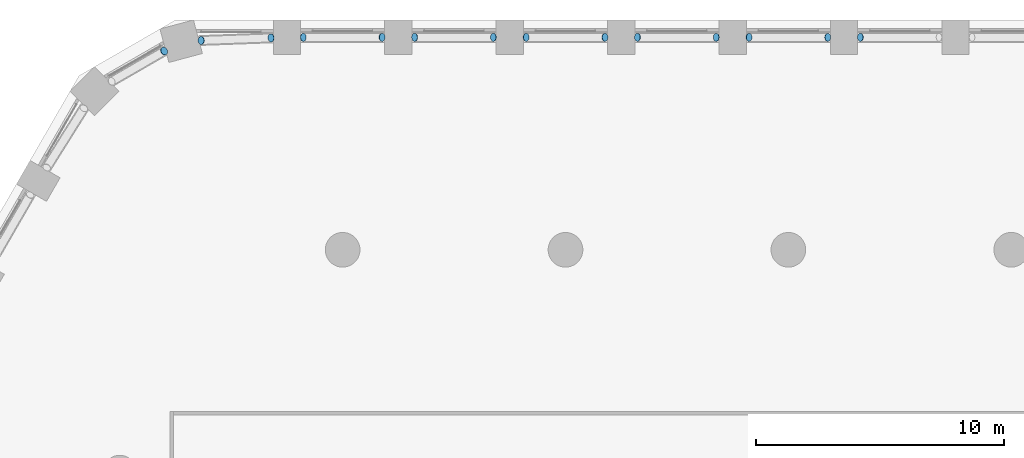
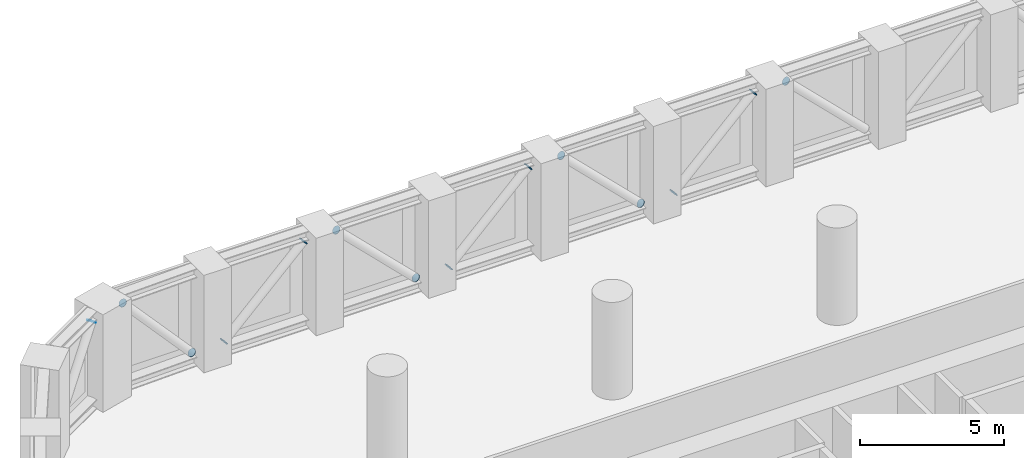
# One storey, part 14 of 18: 14 discrete accessories.
"""IFC4 building model written with IfcOpenShell, lengths in metres."""

from ifc_helpers import new_model, si_unit, direction, frame, origin, origin_2d, place, context, subcontext, project, spatial, circle, extrude, material, material_profile, profile_set, type_object, element, save


model = new_model("IFC4")

# Units and contexts
model_context = context("Model", 3, precision=1e-05, world=origin(), true_north=direction((0.0, 1.0)))
body_context = subcontext(model_context, "Body", "Model", "MODEL_VIEW")
ifc_project = project(units=[si_unit("LENGTHUNIT", "METRE"), si_unit("AREAUNIT", "SQUARE_METRE"), si_unit("VOLUMEUNIT", "CUBIC_METRE"), si_unit("PLANEANGLEUNIT", "RADIAN"), si_unit("MASSUNIT", "GRAM", prefix="KILO")], contexts=[model_context])

# Site, building, storey
site_placement = place(None, origin())
site = spatial("IfcSite", under=ifc_project, at=site_placement, CompositionType="ELEMENT")
building_placement = place(site_placement, origin())
building = spatial("IfcBuilding", under=site, at=building_placement, Name="Dhurran Vertical Campus", CompositionType="ELEMENT")
storey_placement = place(building_placement, frame((0.0, 0.0, 76.800048828125)))
storey = spatial("IfcBuildingStorey", under=building, at=storey_placement, Name="L18 Plant", CompositionType="ELEMENT", Elevation=76.800048828125)

# Discrete accessories
ifc_material = material(Name="Steel S355J2", Category="steel")
ifc_material_profile = material_profile(ifc_material, circle(Radius=0.161865234375, at=origin_2d()), Name="Tube end cap 324 x 20")
ifc_profile_set = profile_set([ifc_material_profile], Name="Steel S355J2")
discrete_accessory_type = type_object("IfcDiscreteAccessoryType", Name="Tube end cap 324 x 20", PredefinedType="USERDEFINED", material=ifc_profile_set)
discrete_accessory_1_placement = place(storey_placement, frame((7.4169921875, 31.079833984375, 3.62255859375), z_axis=(-0.707106781187, 0.0, 0.707106781187), x_axis=(0.0, -1.0, 0.0)))
element("IfcDiscreteAccessory", 1, at=discrete_accessory_1_placement, inside=storey, type_object=discrete_accessory_type, Name="EC1 belt L18 d28 capB", ObjectType="END CAP", PredefinedType="USERDEFINED", context=body_context, shape_type="SweptSolid", body=[
    extrude(circle(Radius=0.161865234375, at=origin_2d()), origin(), (0.0, 0.0, 1.0), 0.02001953125),
])
discrete_accessory_2_placement = place(storey_placement, frame((2.9169921875, 31.079833984375, 0.502197265625), z_axis=(-0.713228571152, 0.0, -0.700931526822), x_axis=(0.0, -1.0, 0.0)))
element("IfcDiscreteAccessory", 2, at=discrete_accessory_2_placement, inside=storey, type_object=discrete_accessory_type, Name="EC1 belt L18 d29 capA", ObjectType="END CAP", PredefinedType="USERDEFINED", context=body_context, shape_type="SweptSolid", body=[
    extrude(circle(Radius=0.161865234375, at=origin_2d()), origin(), (0.0, 0.0, 1.0), 0.019775390625),
])
discrete_accessory_3_placement = place(storey_placement, frame((6.0830078125, 31.079833984375, 3.62255859375), z_axis=(0.707106781187, 0.0, 0.707106781187), x_axis=(0.0, 1.0, 0.0)))
element("IfcDiscreteAccessory", 3, at=discrete_accessory_3_placement, inside=storey, type_object=discrete_accessory_type, Name="EC1 belt L18 d29 capB", ObjectType="END CAP", PredefinedType="USERDEFINED", context=body_context, shape_type="SweptSolid", body=[
    extrude(circle(Radius=0.161865234375, at=origin_2d()), origin(), (0.0, 0.0, 1.0), 0.02001953125),
])
discrete_accessory_4_placement = place(storey_placement, frame((1.5830078125, 31.079833984375, 0.502197265625), z_axis=(0.713228571152, 0.0, -0.700931526822), x_axis=(0.0, 1.0, 0.0)))
element("IfcDiscreteAccessory", 4, at=discrete_accessory_4_placement, inside=storey, type_object=discrete_accessory_type, Name="EC1 belt L18 d30 capA", ObjectType="END CAP", PredefinedType="USERDEFINED", context=body_context, shape_type="SweptSolid", body=[
    extrude(circle(Radius=0.161865234375, at=origin_2d()), origin(), (0.0, 0.0, 1.0), 0.019775390625),
])
discrete_accessory_5_placement = place(storey_placement, frame((-1.5830078125, 31.079833984375, 3.62255859375), z_axis=(-0.707106781187, 0.0, 0.707106781187), x_axis=(0.0, -1.0, 0.0)))
element("IfcDiscreteAccessory", 5, at=discrete_accessory_5_placement, inside=storey, type_object=discrete_accessory_type, Name="EC1 belt L18 d30 capB", ObjectType="END CAP", PredefinedType="USERDEFINED", context=body_context, shape_type="SweptSolid", body=[
    extrude(circle(Radius=0.161865234375, at=origin_2d()), origin(), (0.0, 0.0, 1.0), 0.02001953125),
])
discrete_accessory_6_placement = place(storey_placement, frame((-6.0830078125, 31.079833984375, 0.502197265625), z_axis=(-0.713228571152, 0.0, -0.700931526822), x_axis=(0.0, -1.0, 0.0)))
element("IfcDiscreteAccessory", 6, at=discrete_accessory_6_placement, inside=storey, type_object=discrete_accessory_type, Name="EC1 belt L18 d31 capA", ObjectType="END CAP", PredefinedType="USERDEFINED", context=body_context, shape_type="SweptSolid", body=[
    extrude(circle(Radius=0.161865234375, at=origin_2d()), origin(), (0.0, 0.0, 1.0), 0.019775390625),
])
discrete_accessory_7_placement = place(storey_placement, frame((-2.9169921875, 31.079833984375, 3.62255859375), z_axis=(0.707106781187, 0.0, 0.707106781187), x_axis=(0.0, 1.0, 0.0)))
element("IfcDiscreteAccessory", 7, at=discrete_accessory_7_placement, inside=storey, type_object=discrete_accessory_type, Name="EC1 belt L18 d31 capB", ObjectType="END CAP", PredefinedType="USERDEFINED", context=body_context, shape_type="SweptSolid", body=[
    extrude(circle(Radius=0.161865234375, at=origin_2d()), origin(), (0.0, 0.0, 1.0), 0.02001953125),
])
discrete_accessory_8_placement = place(storey_placement, frame((-7.4169921875, 31.079833984375, 0.502197265625), z_axis=(0.713228571152, 0.0, -0.700931526822), x_axis=(0.0, 1.0, 0.0)))
element("IfcDiscreteAccessory", 8, at=discrete_accessory_8_placement, inside=storey, type_object=discrete_accessory_type, Name="EC1 belt L18 d32 capA", ObjectType="END CAP", PredefinedType="USERDEFINED", context=body_context, shape_type="SweptSolid", body=[
    extrude(circle(Radius=0.161865234375, at=origin_2d()), origin(), (0.0, 0.0, 1.0), 0.019775390625),
])
discrete_accessory_9_placement = place(storey_placement, frame((-10.5830078125, 31.079833984375, 3.62255859375), z_axis=(-0.707106781187, 0.0, 0.707106781187), x_axis=(0.0, -1.0, 0.0)))
element("IfcDiscreteAccessory", 9, at=discrete_accessory_9_placement, inside=storey, type_object=discrete_accessory_type, Name="EC1 belt L18 d32 capB", ObjectType="END CAP", PredefinedType="USERDEFINED", context=body_context, shape_type="SweptSolid", body=[
    extrude(circle(Radius=0.161865234375, at=origin_2d()), origin(), (0.0, 0.0, 1.0), 0.02001953125),
])
discrete_accessory_10_placement = place(storey_placement, frame((-15.0830078125, 31.079833984375, 0.502197265625), z_axis=(-0.713228571152, 0.0, -0.700931526822), x_axis=(0.0, -1.0, 0.0)))
element("IfcDiscreteAccessory", 10, at=discrete_accessory_10_placement, inside=storey, type_object=discrete_accessory_type, Name="EC1 belt L18 d33 capA", ObjectType="END CAP", PredefinedType="USERDEFINED", context=body_context, shape_type="SweptSolid", body=[
    extrude(circle(Radius=0.161865234375, at=origin_2d()), origin(), (0.0, 0.0, 1.0), 0.019775390625),
])
for number, where, z_axis, x_axis, name in (
    (11, (-11.9169921875, 31.079833984375, 3.62255859375), (0.707106781187, 0.0, 0.707106781187), (0.0, 1.0, 0.0), "EC1 belt L18 d33 capB"),
    (12, (-16.39697265625, 31.055908203125, 0.4951171875), (0.669438681395, 0.024343224778, -0.742468355729), (-0.036339618107, 0.999339497946, 0.0), "EC1 belt L18 d34 capA"),
    (13, (-19.205810546875, 30.952392578125, 3.6298828125), (-0.669438681395, -0.024343224778, 0.742468355729), (0.036339618107, -0.999339497946, 0.0), "EC1 belt L18 d34 capB"),
    (14, (-20.714111328125, 30.521728515625, 3.638916015625), (0.523379332727, 0.316461922114, 0.791154805285), (-0.517419338909, 0.855731983581, 0.0), "EC1 belt L18 d35 capB"),
):
    element("IfcDiscreteAccessory", number, at=place(storey_placement, frame(where, z_axis=z_axis, x_axis=x_axis)), inside=storey, type_object=discrete_accessory_type, Name=name, ObjectType="END CAP", PredefinedType="USERDEFINED", context=body_context, shape_type="SweptSolid", body=[
        extrude(circle(Radius=0.161865234375, at=origin_2d()), origin(), (0.0, 0.0, 1.0), 0.02001953125),
    ])

save(model, "model.ifc")
